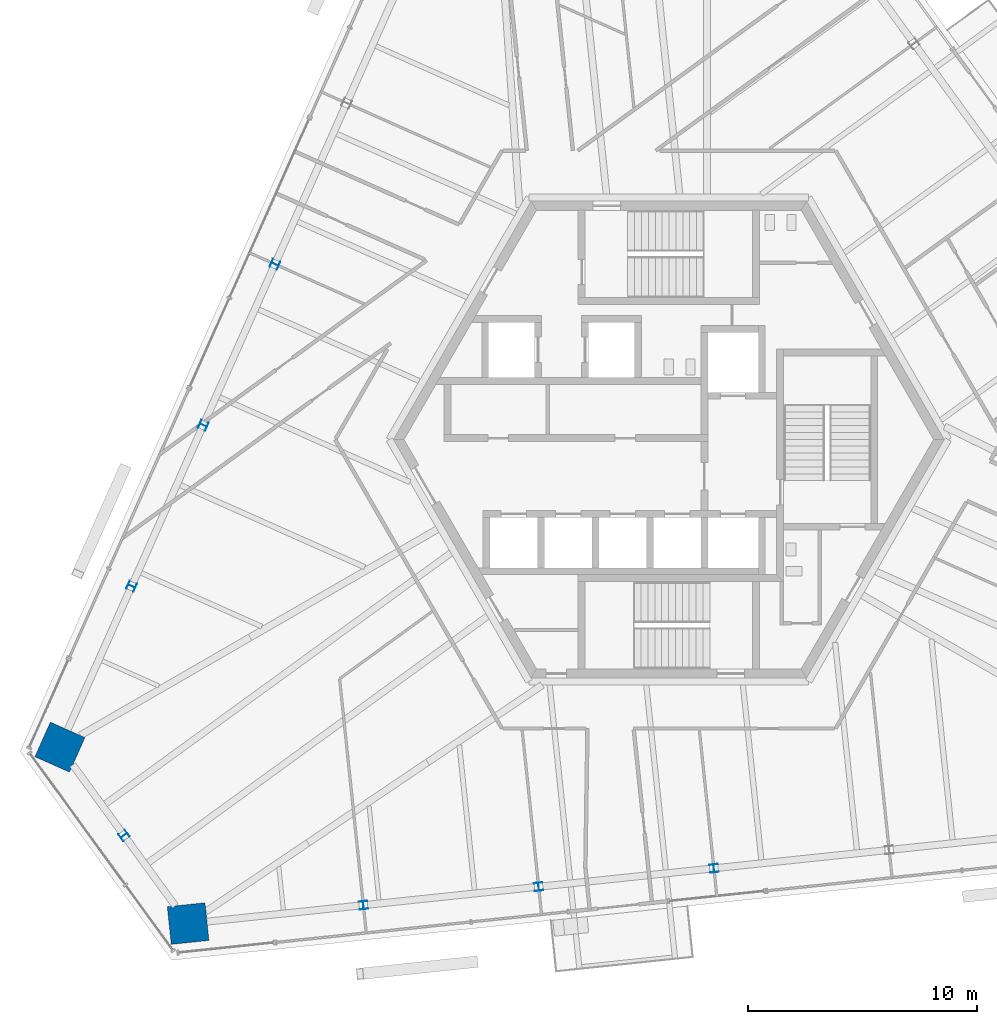
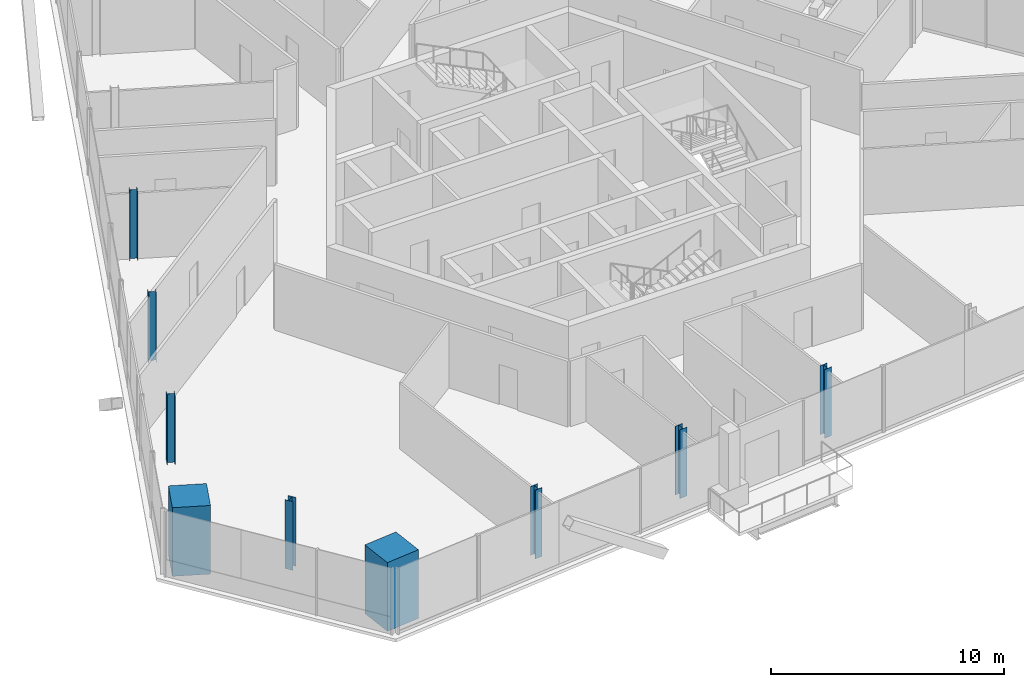
# One storey, part 1 of 19: 9 columns.
"""IFC4 building model written with IfcOpenShell, lengths in metres."""

from ifc_helpers import new_model, si_unit, direction, frame, origin, origin_2d, place, context, subcontext, project, spatial, rectangle, i_section, extrude, source, transform, mapped, material, material_profile, profile_set, type_object, element, save


model = new_model("IFC4")

# Units and contexts
model_context = context("Model", 3, precision=1e-05, world=origin(), true_north=direction((0.0, 1.0)))
body_context = subcontext(model_context, "Body", "Model", "MODEL_VIEW")
ifc_project = project(units=[si_unit("LENGTHUNIT", "METRE"), si_unit("AREAUNIT", "SQUARE_METRE"), si_unit("VOLUMEUNIT", "CUBIC_METRE"), si_unit("PLANEANGLEUNIT", "RADIAN"), si_unit("MASSUNIT", "GRAM", prefix="KILO")], contexts=[model_context])

# Site, building, storey
site_placement = place(None, origin())
site = spatial("IfcSite", under=ifc_project, at=site_placement, CompositionType="ELEMENT")
building_placement = place(site_placement, origin())
building = spatial("IfcBuilding", under=site, at=building_placement, Name="Triune Harvest Tower", CompositionType="ELEMENT")
storey_placement = place(building_placement, frame((0.0, 0.0, 244.89990234375)))
storey = spatial("IfcBuildingStorey", under=building, at=storey_placement, Name="L64", CompositionType="ELEMENT", Elevation=244.89990234375)

# Columns
ifc_material_1 = material(Name="Steel ASTM A992 Gr 50", Category="steel")
ifc_material_profile_1 = material_profile(ifc_material_1, i_section(OverallWidth=0.368408203125, OverallDepth=0.355712890625, WebThickness=0.01123046875, FlangeThickness=0.01806640625, at=origin_2d()), Name="W14x90")
ifc_profile_set_1 = profile_set([ifc_material_profile_1], Name="Steel ASTM A992 Gr 50")
column_type_1 = type_object("IfcColumnType", Name="PC-6 Perimeter column W14x90", PredefinedType="COLUMN", material=ifc_profile_set_1)
shared_shape_1 = source(origin(), body_context, "Body", "SweptSolid", [
    extrude(i_section(OverallWidth=0.368408203125, OverallDepth=0.355712890625, WebThickness=0.01123046875, FlangeThickness=0.01806640625, at=origin_2d()), origin(), (0.0, 0.0, 1.0), 3.599853515625),
])
column_placement = place(storey_placement, frame((-23.7412109375, -17.2490234375, 1.2001953125), z_axis=(0.0, 0.0, 1.0), x_axis=(0.587785252292, -0.809016994375, 0.0)))
element("IfcColumn", 1, at=column_placement, inside=storey, type_object=column_type_1, Name="col/L64/P15", PredefinedType="COLUMN", context=body_context, shape_type="MappedRepresentation", body=[
    mapped(shared_shape_1, transform((0.0, 0.0, 0.0), scale=1.0)),
])
shared_shape_2 = source(origin(), body_context, "Body", "SweptSolid", [
    extrude(i_section(OverallWidth=0.368408203125, OverallDepth=0.355712890625, WebThickness=0.01123046875, FlangeThickness=0.01806640625, at=origin_2d()), origin(), (0.0, 0.0, 1.0), 3.60009765625),
])
for number, where, z_axis, x_axis, name in (
    (2, (-17.163818359375, 7.641845703125, 0.0), (0.0, 0.0, 1.0), (-0.406738237513, -0.913544747752, 0.0), "col/L64/P11"),
    (3, (-20.287109375, 0.626220703125, 0.0), (0.0, 0.0, 1.0), (-0.406738237513, -0.913544747752, 0.0), "col/L64/P12"),
    (4, (-23.41064453125, -6.389404296875, 0.0), (0.0, 0.0, 1.0), (-0.406738237513, -0.913544747752, 0.0), "col/L64/P13"),
    (5, (-13.310791015625, -20.29052734375, 0.0), (0.0, 0.0, 1.0), (0.99452171293, 0.104530199036, 0.0), "col/L64/P17"),
    (6, (-5.673583984375, -19.48779296875, 0.0), (0.0, 0.0, 1.0), (0.99452171293, 0.104530199036, 0.0), "col/L64/P18"),
    (7, (1.9638671875, -18.68505859375, 0.0), (0.0, 0.0, 1.0), (0.99452171293, 0.104530199036, 0.0), "col/L64/P19"),
):
    element("IfcColumn", number, at=place(storey_placement, frame(where, z_axis=z_axis, x_axis=x_axis)), inside=storey, type_object=column_type_1, Name=name, PredefinedType="COLUMN", context=body_context, shape_type="MappedRepresentation", body=[
        mapped(shared_shape_2, transform((0.0, 0.0, 0.0), scale=1.0)),
    ])
ifc_material_2 = material(Name="Concrete 70 MPa", Category="concrete")
ifc_material_profile_2 = material_profile(ifc_material_2, rectangle(XDim=1.64990234375, YDim=1.64990234375, at=origin_2d()), Name="Composite 1650x1650")
ifc_profile_set_2 = profile_set([ifc_material_profile_2], Name="Concrete 70 MPa")
column_type_2 = type_object("IfcColumnType", Name="MC-6 Mega column Composite 1650x1650", PredefinedType="COLUMN", material=ifc_profile_set_2)
shared_shape_3 = source(origin(), body_context, "Body", "SweptSolid", [
    extrude(rectangle(XDim=1.64990234375, YDim=1.64990234375, at=origin_2d()), origin(), (0.0, 0.0, 1.0), 3.60009765625),
])
for number, where, z_axis, x_axis, name in (
    (8, (-26.5341796875, -13.40478515625, 0.0), (0.0, 0.0, 1.0), (-0.406738237513, -0.913544747752, 0.0), "col/L64/M14"),
    (9, (-20.9482421875, -21.09326171875, 0.0), (0.0, 0.0, 1.0), (0.99452171293, 0.104530199036, 0.0), "col/L64/M16"),
):
    element("IfcColumn", number, at=place(storey_placement, frame(where, z_axis=z_axis, x_axis=x_axis)), inside=storey, type_object=column_type_2, Name=name, PredefinedType="COLUMN", context=body_context, shape_type="MappedRepresentation", body=[
        mapped(shared_shape_3, transform((0.0, 0.0, 0.0), scale=1.0)),
    ])

save(model, "model.ifc")
